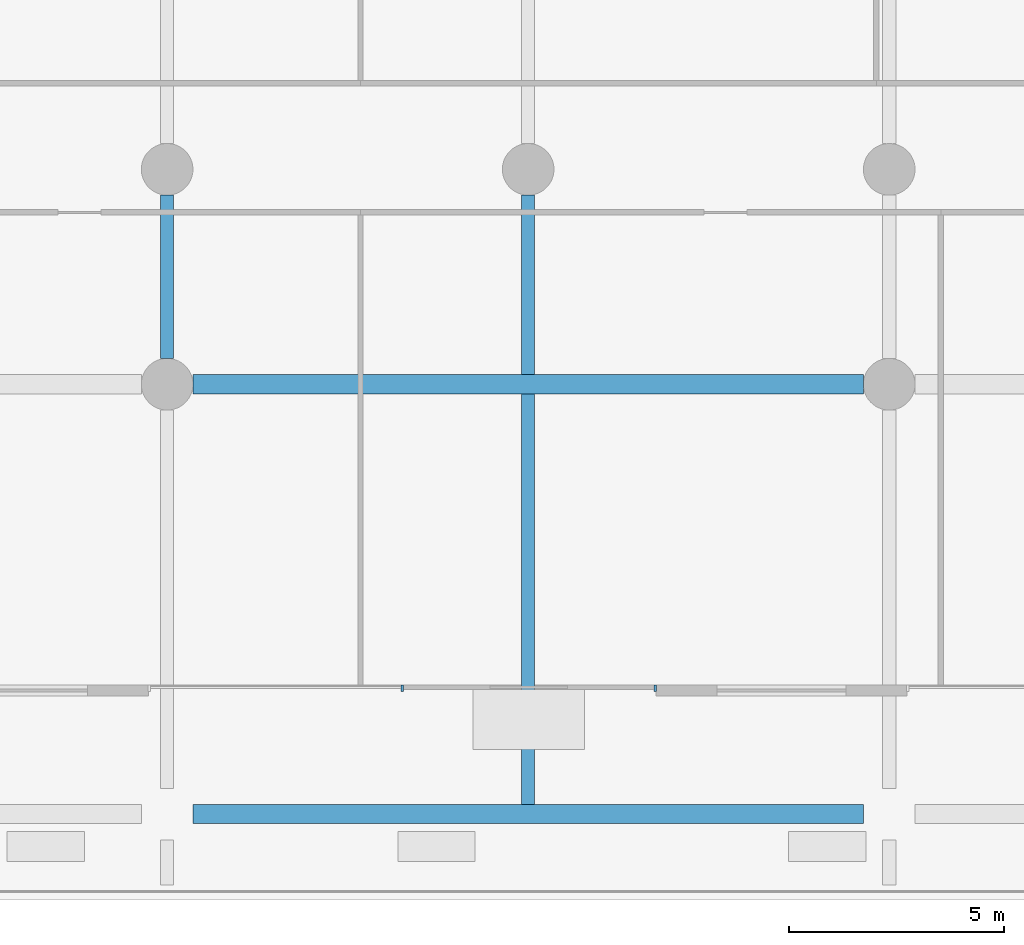
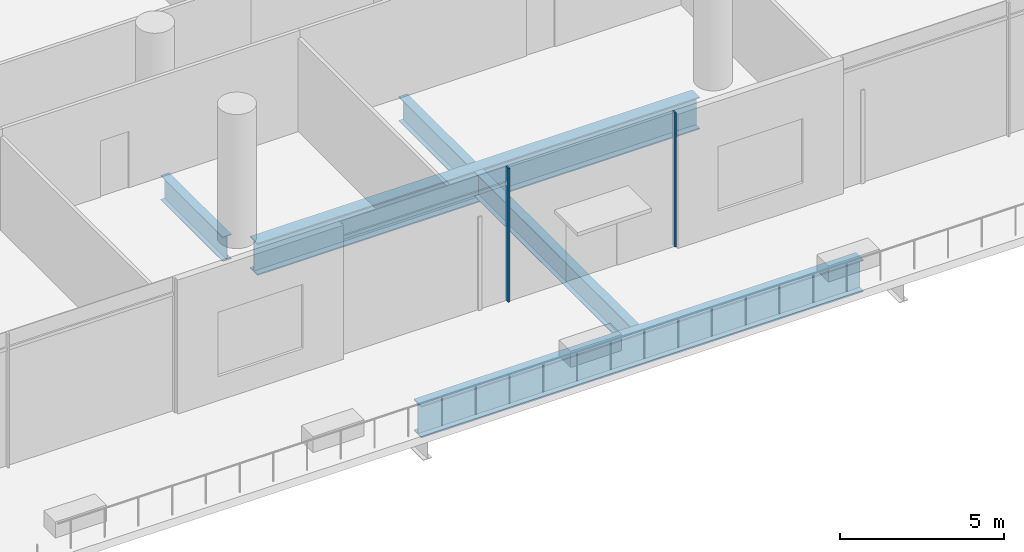
# One storey, part 14 of 51: 5 beams, 2 members, 1 element without a shape of its own.
"""IFC4 building model written with IfcOpenShell, lengths in metres."""

from ifc_helpers import new_model, si_unit, direction, frame, origin, origin_2d, place, context, subcontext, project, spatial, rectangle, i_section, extrude, material, material_profile, profile_set, type_object, element, aggregate, save


model = new_model("IFC4")

# Units and contexts
model_context = context("Model", 3, precision=1e-05, world=origin(), true_north=direction((0.0, 1.0)))
body_context = subcontext(model_context, "Body", "Model", "MODEL_VIEW")
ifc_project = project(units=[si_unit("LENGTHUNIT", "METRE"), si_unit("AREAUNIT", "SQUARE_METRE"), si_unit("VOLUMEUNIT", "CUBIC_METRE"), si_unit("PLANEANGLEUNIT", "RADIAN"), si_unit("MASSUNIT", "GRAM", prefix="KILO")], contexts=[model_context])

# Site, building, storey
site_placement = place(None, origin())
site = spatial("IfcSite", under=ifc_project, at=site_placement, CompositionType="ELEMENT")
building_placement = place(site_placement, origin())
building = spatial("IfcBuilding", under=site, at=building_placement, Name="Rimbun Link Towers", CompositionType="ELEMENT")
storey_placement = place(building_placement, frame((0.0, 0.0, 7.0)))
storey = spatial("IfcBuildingStorey", under=building, at=storey_placement, Name="L01", CompositionType="ELEMENT", Elevation=7.0)

# Curtain wall, members
ifc_material_1 = material(Name="Aluminium 6063-T6 and low-iron glass", Category="aluminium")
curtain_wall_type = type_object("IfcCurtainWallType", Name="CW3 podium shopfront", PredefinedType="NOTDEFINED", material=ifc_material_1)
curtain_wall_placement = place(storey_placement, origin())
curtain_wall = element("IfcCurtainWall", 1, at=curtain_wall_placement, inside=storey, type_object=curtain_wall_type, Name="CW3 L01 PD", PredefinedType="NOTDEFINED")
ifc_material_2 = material(Name="Aluminium 6063-T6", Category="aluminium")
ifc_material_profile_1 = material_profile(ifc_material_2, rectangle(XDim=0.14990234375, YDim=0.06005859375, at=origin_2d()), Name="MULLION 60X150")
ifc_profile_set_1 = profile_set([ifc_material_profile_1], Name="Aluminium 6063-T6")
member_type = type_object("IfcMemberType", Name="CW3 mullion 60X150", PredefinedType="MULLION", material=ifc_profile_set_1)
member_1_placement = place(storey_placement, frame((26.470703125, -43.074951171875, 0.0), z_axis=(0.0, 0.0, 1.0), x_axis=(0.0, -1.0, 0.0)))
member_1 = element("IfcMember", 2, at=member_1_placement, type_object=member_type, Name="CW3 mullion", PredefinedType="MULLION", context=body_context, shape_type="SweptSolid", body=[
    extrude(rectangle(XDim=0.14990234375, YDim=0.06005859375, at=origin_2d()), origin(), (0.0, 0.0, 1.0), 5.0),
])
member_2_placement = place(storey_placement, frame((32.35302734375, -43.074951171875, 0.0), z_axis=(0.0, 0.0, 1.0), x_axis=(0.0, -1.0, 0.0)))
member_2 = element("IfcMember", 3, at=member_2_placement, type_object=member_type, Name="CW3 mullion", PredefinedType="MULLION", context=body_context, shape_type="SweptSolid", body=[
    extrude(rectangle(XDim=0.14990234375, YDim=0.06005859375, at=origin_2d()), origin(), (0.0, 0.0, 1.0), 5.0),
])
aggregate(curtain_wall, [member_1, member_2])

# Beams
ifc_material_3 = material(Name="Steel S355J2", Category="steel")
ifc_material_profile_2 = material_profile(ifc_material_3, i_section(OverallWidth=0.449951171875, OverallDepth=1.199951171875, WebThickness=0.030029296875, FlangeThickness=0.044921875, at=origin_2d()), Name="PG 1200x450x30/45")
ifc_profile_set_2 = profile_set([ifc_material_profile_2], Name="Steel S355J2")
beam_type_1 = type_object("IfcBeamType", Name="PG 1200x450x30/45", PredefinedType="BEAM", material=ifc_profile_set_2)
for number, where, z_axis, x_axis, name in (
    (4, (21.60009765625, -46.0, -0.89990234375), (1.0, 0.0, 0.0), (0.0, 1.0, 0.0), "Grid beam L01 -46.0"),
    (5, (21.60009765625, -36.0, -0.89990234375), (1.0, 0.0, 0.0), (0.0, 1.0, 0.0), "Grid beam L01 -36.0"),
):
    element("IfcBeam", number, at=place(storey_placement, frame(where, z_axis=z_axis, x_axis=x_axis)), inside=storey, type_object=beam_type_1, Name=name, PredefinedType="BEAM", context=body_context, shape_type="SweptSolid", body=[
        extrude(i_section(OverallWidth=0.449951171875, OverallDepth=1.199951171875, WebThickness=0.030029296875, FlangeThickness=0.044921875, at=origin_2d()), origin(), (0.0, 0.0, 1.0), 15.599853515625),
    ])
ifc_material_4 = material(Name="Steel S355J2", Category="steel")
ifc_material_profile_3 = material_profile(ifc_material_4, i_section(OverallWidth=0.305419921875, OverallDepth=0.91845703125, WebThickness=0.017333984375, FlangeThickness=0.02783203125, at=origin_2d()), Name="UB 914x305x253")
ifc_profile_set_3 = profile_set([ifc_material_profile_3], Name="Steel S355J2")
beam_type_2 = type_object("IfcBeamType", Name="UB 914x305x253", PredefinedType="BEAM", material=ifc_profile_set_3)
beam_1_placement = place(storey_placement, frame((21.0, -35.39990234375, -0.75927734375), z_axis=(0.0, 1.0, 0.0), x_axis=(-1.0, 0.0, 0.0)))
element("IfcBeam", 6, at=beam_1_placement, inside=storey, type_object=beam_type_2, Name="Grid beam L01 +21.0", PredefinedType="BEAM", context=body_context, shape_type="SweptSolid", body=[
    extrude(i_section(OverallWidth=0.305419921875, OverallDepth=0.91845703125, WebThickness=0.017333984375, FlangeThickness=0.02783203125, at=origin_2d()), origin(), (0.0, 0.0, 1.0), 3.7998046875),
])
beam_2_placement = place(storey_placement, frame((29.39990234375, -45.77490234375, -0.75927734375), z_axis=(0.0, 1.0, 0.0), x_axis=(-1.0, 0.0, 0.0)))
element("IfcBeam", 7, at=beam_2_placement, inside=storey, type_object=beam_type_2, Name="Grid beam L01 +29.4", PredefinedType="BEAM", context=body_context, shape_type="SweptSolid", body=[
    extrude(i_section(OverallWidth=0.305419921875, OverallDepth=0.91845703125, WebThickness=0.017333984375, FlangeThickness=0.02783203125, at=origin_2d()), origin(), (0.0, 0.0, 1.0), 9.5498046875),
])
beam_3_placement = place(storey_placement, frame((29.39990234375, -35.77490234375, -0.75927734375), z_axis=(0.0, 1.0, 0.0), x_axis=(-1.0, 0.0, 0.0)))
element("IfcBeam", 8, at=beam_3_placement, inside=storey, type_object=beam_type_2, Name="Grid beam L01 +29.4", PredefinedType="BEAM", context=body_context, shape_type="SweptSolid", body=[
    extrude(i_section(OverallWidth=0.305419921875, OverallDepth=0.91845703125, WebThickness=0.017333984375, FlangeThickness=0.02783203125, at=origin_2d()), origin(), (0.0, 0.0, 1.0), 4.1748046875),
])

save(model, "model.ifc")
